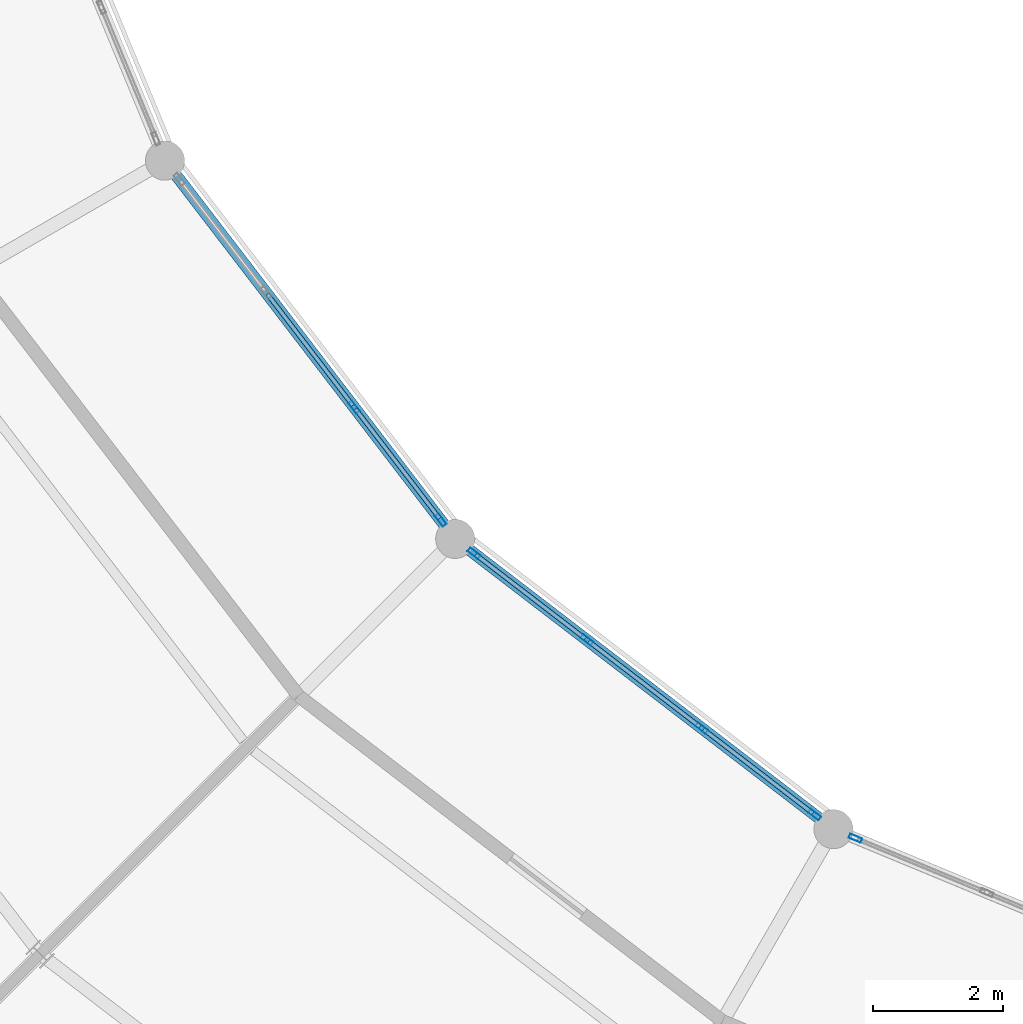
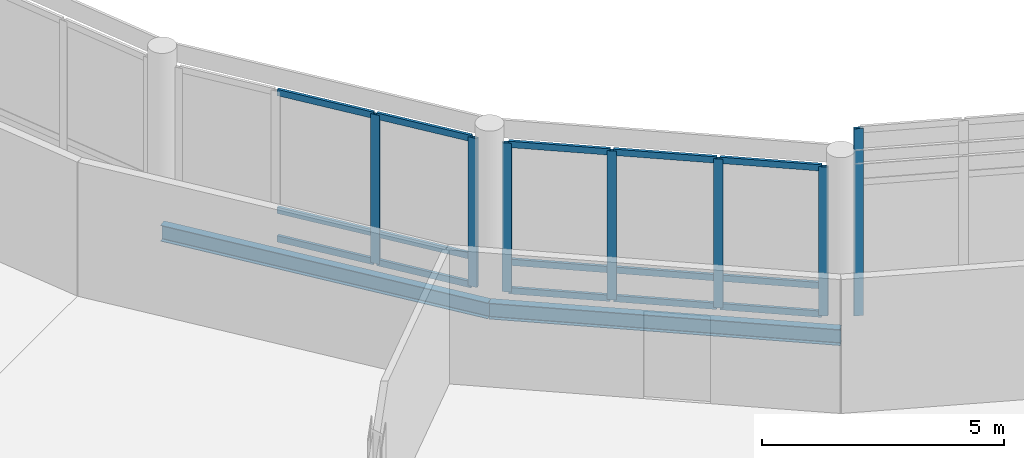
# One storey, part 40 of 170: 22 members, 2 beams, 3 elements without a shape of their own.
"""IFC4 building model written with IfcOpenShell, lengths in metres."""

from ifc_helpers import new_model, si_unit, direction, frame, origin, origin_2d, place, context, subcontext, project, spatial, hollow_rectangle, i_section, extrude, material, material_profile, profile_set, type_object, element, aggregate, save


model = new_model("IFC4")

# Units and contexts
model_context = context("Model", 3, precision=1e-05, world=origin(), true_north=direction((0.0, 1.0)))
body_context = subcontext(model_context, "Body", "Model", "MODEL_VIEW")
ifc_project = project(units=[si_unit("LENGTHUNIT", "METRE"), si_unit("AREAUNIT", "SQUARE_METRE"), si_unit("VOLUMEUNIT", "CUBIC_METRE"), si_unit("PLANEANGLEUNIT", "RADIAN"), si_unit("MASSUNIT", "GRAM", prefix="KILO")], contexts=[model_context])

# Site, building, storey
site_placement = place(None, origin())
site = spatial("IfcSite", under=ifc_project, at=site_placement, CompositionType="ELEMENT")
building_placement = place(site_placement, origin())
building = spatial("IfcBuilding", under=site, at=building_placement, Name="Vondelvale Polytechnic", CompositionType="ELEMENT")
storey_placement = place(building_placement, frame((0.0, 0.0, 5.39990234375)))
storey = spatial("IfcBuildingStorey", under=building, at=storey_placement, Name="L01", CompositionType="ELEMENT", Elevation=5.39990234375)

# Beams
ifc_material_1 = material(Name="Steel 300PLUS (fy = 300 MPa)", Category="steel")
ifc_material_profile_1 = material_profile(ifc_material_1, i_section(OverallWidth=0.177978515625, OverallDepth=0.406005859375, WebThickness=0.0078125, FlangeThickness=0.0126953125, FilletRadius=0.011474609375, at=origin_2d()), Name="410UB59.7")
ifc_profile_set_1 = profile_set([ifc_material_profile_1], Name="Steel 300PLUS (fy = 300 MPa)")
beam_type = type_object("IfcBeamType", Name="BM-UB410", PredefinedType="BEAM", material=ifc_profile_set_1)
for number, where, z_axis, x_axis, name in (
    (1, (77.751220703125, 58.0, -0.48291015625), (0.608754744979, -0.793358469083, 0.0), (0.793358469083, 0.608754744979, 0.0), "L01 RB B-14"),
    (2, (82.200927734375, 52.200927734375, -0.48291015625), (0.793358469083, -0.608754744979, 0.0), (0.608754744979, 0.793358469083, 0.0), "L01 RB B-14"),
):
    element("IfcBeam", number, at=place(storey_placement, frame(where, z_axis=z_axis, x_axis=x_axis)), inside=storey, type_object=beam_type, Name=name, PredefinedType="BEAM", context=body_context, shape_type="SweptSolid", body=[
        extrude(i_section(OverallWidth=0.177978515625, OverallDepth=0.406005859375, WebThickness=0.0078125, FlangeThickness=0.0126953125, FilletRadius=0.011474609375, at=origin_2d()), origin(), (0.0, 0.0, 1.0), 7.3095703125),
    ])

# Curtain wall, members
ifc_material_2 = material(Name="Anodised extruded aluminium 6063-T6", Category="aluminium")
curtain_wall_type = type_object("IfcCurtainWallType", Name="CW-RING-CLOISTER", PredefinedType="NOTDEFINED", material=ifc_material_2)
curtain_wall_1_placement = place(storey_placement, origin())
curtain_wall_1 = element("IfcCurtainWall", 3, at=curtain_wall_1_placement, inside=storey, type_object=curtain_wall_type, Name="L01 architectural curtain wall CW-03-298", PredefinedType="NOTDEFINED")
ifc_material_profile_2 = material_profile(ifc_material_2, hollow_rectangle(XDim=0.070068359375, YDim=0.199951171875, WallThickness=0.00390625, at=origin_2d()), Name="CW-MUL-200x70")
ifc_profile_set_2 = profile_set([ifc_material_profile_2], Name="Anodised extruded aluminium 6063-T6")
member_type_1 = type_object("IfcMemberType", Name="CW-MUL-70x200", PredefinedType="MULLION", material=ifc_profile_set_2)
member_1_placement = place(storey_placement, frame((80.651123046875, 54.220947265625, 0.0), z_axis=(0.0, 0.0, 1.0), x_axis=(0.793363861089, 0.608747717793, 0.0)))
member_1 = element("IfcMember", 4, at=member_1_placement, type_object=member_type_1, Name="CW-03-298 mullion 3", PredefinedType="MULLION", context=body_context, shape_type="SweptSolid", body=[
    extrude(hollow_rectangle(XDim=0.070068359375, YDim=0.199951171875, WallThickness=0.00390625, at=origin_2d()), origin(), (0.0, 0.0, 1.0), 3.75),
])
member_2_placement = place(storey_placement, frame((81.9794921875, 52.489501953125, 0.0), z_axis=(0.0, 0.0, 1.0), x_axis=(0.793363861089, 0.608747717793, 0.0)))
member_2 = element("IfcMember", 5, at=member_2_placement, type_object=member_type_1, Name="CW-03-298 mullion 4", PredefinedType="MULLION", context=body_context, shape_type="SweptSolid", body=[
    extrude(hollow_rectangle(XDim=0.070068359375, YDim=0.199951171875, WallThickness=0.00390625, at=origin_2d()), origin(), (0.0, 0.0, 1.0), 3.75),
])

curtain_wall_2_placement = place(storey_placement, origin())
curtain_wall_2 = element("IfcCurtainWall", 6, at=curtain_wall_2_placement, inside=storey, type_object=curtain_wall_type, Name="L01 architectural curtain wall CW-03-317", PredefinedType="NOTDEFINED")
member_3_placement = place(storey_placement, frame((82.489501953125, 51.9794921875, 0.0), z_axis=(0.0, 0.0, 1.0), x_axis=(0.608747717793, 0.793363861089, 0.0)))
member_3 = element("IfcMember", 7, at=member_3_placement, type_object=member_type_1, Name="CW-03-317 mullion 1", PredefinedType="MULLION", context=body_context, shape_type="SweptSolid", body=[
    extrude(hollow_rectangle(XDim=0.070068359375, YDim=0.199951171875, WallThickness=0.00390625, at=origin_2d()), origin(), (0.0, 0.0, 1.0), 3.75),
])
member_4_placement = place(storey_placement, frame((84.220947265625, 50.651123046875, 0.0), z_axis=(0.0, 0.0, 1.0), x_axis=(0.608747717793, 0.793363861089, 0.0)))
member_4 = element("IfcMember", 8, at=member_4_placement, type_object=member_type_1, Name="CW-03-317 mullion 2", PredefinedType="MULLION", context=body_context, shape_type="SweptSolid", body=[
    extrude(hollow_rectangle(XDim=0.070068359375, YDim=0.199951171875, WallThickness=0.00390625, at=origin_2d()), origin(), (0.0, 0.0, 1.0), 3.75),
])
member_5_placement = place(storey_placement, frame((85.97998046875, 49.30126953125, 0.0), z_axis=(0.0, 0.0, 1.0), x_axis=(0.608747717793, 0.793363861089, 0.0)))
member_5 = element("IfcMember", 9, at=member_5_placement, type_object=member_type_1, Name="CW-03-317 mullion 3", PredefinedType="MULLION", context=body_context, shape_type="SweptSolid", body=[
    extrude(hollow_rectangle(XDim=0.070068359375, YDim=0.199951171875, WallThickness=0.00390625, at=origin_2d()), origin(), (0.0, 0.0, 1.0), 3.75),
])
member_6_placement = place(storey_placement, frame((87.71142578125, 47.97265625, 0.0), z_axis=(0.0, 0.0, 1.0), x_axis=(0.608747717793, 0.793363861089, 0.0)))
member_6 = element("IfcMember", 10, at=member_6_placement, type_object=member_type_1, Name="CW-03-317 mullion 4", PredefinedType="MULLION", context=body_context, shape_type="SweptSolid", body=[
    extrude(hollow_rectangle(XDim=0.070068359375, YDim=0.199951171875, WallThickness=0.00390625, at=origin_2d()), origin(), (0.0, 0.0, 1.0), 3.75),
])

# Curtain wall, member
curtain_wall_3_placement = place(storey_placement, origin())
curtain_wall_3 = element("IfcCurtainWall", 11, at=curtain_wall_3_placement, inside=storey, type_object=curtain_wall_type, Name="L01 architectural curtain wall CW-03-329", PredefinedType="NOTDEFINED")
member_7_placement = place(storey_placement, frame((88.337158203125, 47.611572265625, 0.0), z_axis=(0.0, 0.0, 1.0), x_axis=(0.382678531697, 0.923881562419, 0.0)))
member_7 = element("IfcMember", 12, at=member_7_placement, type_object=member_type_1, Name="CW-03-329 mullion 1", PredefinedType="MULLION", context=body_context, shape_type="SweptSolid", body=[
    extrude(hollow_rectangle(XDim=0.070068359375, YDim=0.199951171875, WallThickness=0.00390625, at=origin_2d()), origin(), (0.0, 0.0, 1.0), 4.71337890625),
])
aggregate(curtain_wall_3, [member_7])

# Member
ifc_material_profile_3 = material_profile(ifc_material_2, hollow_rectangle(XDim=0.06494140625, YDim=0.159912109375, WallThickness=0.00341796875, at=origin_2d()), Name="CW-TRN-160x65")
ifc_profile_set_3 = profile_set([ifc_material_profile_3], Name="Anodised extruded aluminium 6063-T6")
member_type_2 = type_object("IfcMemberType", Name="CW-TRN-70x160", PredefinedType="USERDEFINED", material=ifc_profile_set_3)
member_8_placement = place(storey_placement, frame((79.322509765625, 55.952392578125, 0.03271484375), z_axis=(0.608732251269, -0.793375728306, 0.0), x_axis=(0.793375728306, 0.608732251269, 0.0)))
member_8 = element("IfcMember", 13, at=member_8_placement, type_object=member_type_2, Name="CW-03-298 transom 2.1", ObjectType="TRANSOM", PredefinedType="USERDEFINED", context=body_context, shape_type="SweptSolid", body=[
    extrude(hollow_rectangle(XDim=0.06494140625, YDim=0.159912109375, WallThickness=0.00341796875, at=origin_2d()), origin(), (0.0, 0.0, 1.0), 2.147216796875),
])

member_9_placement = place(storey_placement, frame((79.322509765625, 55.952392578125, 0.75), z_axis=(0.608732251269, -0.793375728306, 0.0), x_axis=(0.793375728306, 0.608732251269, 0.0)))
member_9 = element("IfcMember", 14, at=member_9_placement, type_object=member_type_2, Name="CW-03-298 transom 2.2", ObjectType="TRANSOM", PredefinedType="USERDEFINED", context=body_context, shape_type="SweptSolid", body=[
    extrude(hollow_rectangle(XDim=0.06494140625, YDim=0.159912109375, WallThickness=0.00341796875, at=origin_2d()), origin(), (0.0, 0.0, 1.0), 2.147216796875),
])

member_10_placement = place(storey_placement, frame((79.322509765625, 55.952392578125, 3.717529296875), z_axis=(0.608732251269, -0.793375728306, 0.0), x_axis=(0.793375728306, 0.608732251269, 0.0)))
member_10 = element("IfcMember", 15, at=member_10_placement, type_object=member_type_2, Name="CW-03-298 transom 2.3", ObjectType="TRANSOM", PredefinedType="USERDEFINED", context=body_context, shape_type="SweptSolid", body=[
    extrude(hollow_rectangle(XDim=0.06494140625, YDim=0.159912109375, WallThickness=0.00341796875, at=origin_2d()), origin(), (0.0, 0.0, 1.0), 2.147216796875),
])

member_11_placement = place(storey_placement, frame((80.67236328125, 54.193115234375, 0.03271484375), z_axis=(0.608766343448, -0.793349569285, 0.0), x_axis=(0.793349569285, 0.608766343448, 0.0)))
member_11 = element("IfcMember", 16, at=member_11_placement, type_object=member_type_2, Name="CW-03-298 transom 3.1", ObjectType="TRANSOM", PredefinedType="USERDEFINED", context=body_context, shape_type="SweptSolid", body=[
    extrude(hollow_rectangle(XDim=0.06494140625, YDim=0.159912109375, WallThickness=0.00341796875, at=origin_2d()), origin(), (0.0, 0.0, 1.0), 2.1123046875),
])

member_12_placement = place(storey_placement, frame((80.67236328125, 54.193115234375, 0.75), z_axis=(0.608766343448, -0.793349569285, 0.0), x_axis=(0.793349569285, 0.608766343448, 0.0)))
member_12 = element("IfcMember", 17, at=member_12_placement, type_object=member_type_2, Name="CW-03-298 transom 3.2", ObjectType="TRANSOM", PredefinedType="USERDEFINED", context=body_context, shape_type="SweptSolid", body=[
    extrude(hollow_rectangle(XDim=0.06494140625, YDim=0.159912109375, WallThickness=0.00341796875, at=origin_2d()), origin(), (0.0, 0.0, 1.0), 2.1123046875),
])

member_13_placement = place(storey_placement, frame((80.67236328125, 54.193115234375, 3.717529296875), z_axis=(0.608766343448, -0.793349569285, 0.0), x_axis=(0.793349569285, 0.608766343448, 0.0)))
member_13 = element("IfcMember", 18, at=member_13_placement, type_object=member_type_2, Name="CW-03-298 transom 3.3", ObjectType="TRANSOM", PredefinedType="USERDEFINED", context=body_context, shape_type="SweptSolid", body=[
    extrude(hollow_rectangle(XDim=0.06494140625, YDim=0.159912109375, WallThickness=0.00341796875, at=origin_2d()), origin(), (0.0, 0.0, 1.0), 2.1123046875),
])

aggregate(curtain_wall_1, [member_1, member_2, member_8, member_9, member_10, member_11, member_12, member_13])

member_14_placement = place(storey_placement, frame((82.517333984375, 51.958251953125, 0.03271484375), z_axis=(0.793349569285, -0.608766343448, 0.0), x_axis=(0.608766343448, 0.793349569285, 0.0)))
member_14 = element("IfcMember", 19, at=member_14_placement, type_object=member_type_2, Name="CW-03-317 transom 1.1", ObjectType="TRANSOM", PredefinedType="USERDEFINED", context=body_context, shape_type="SweptSolid", body=[
    extrude(hollow_rectangle(XDim=0.06494140625, YDim=0.159912109375, WallThickness=0.00341796875, at=origin_2d()), origin(), (0.0, 0.0, 1.0), 2.1123046875),
])

member_15_placement = place(storey_placement, frame((82.517333984375, 51.958251953125, 0.75), z_axis=(0.793349569285, -0.608766343448, 0.0), x_axis=(0.608766343448, 0.793349569285, 0.0)))
member_15 = element("IfcMember", 20, at=member_15_placement, type_object=member_type_2, Name="CW-03-317 transom 1.2", ObjectType="TRANSOM", PredefinedType="USERDEFINED", context=body_context, shape_type="SweptSolid", body=[
    extrude(hollow_rectangle(XDim=0.06494140625, YDim=0.159912109375, WallThickness=0.00341796875, at=origin_2d()), origin(), (0.0, 0.0, 1.0), 2.1123046875),
])

member_16_placement = place(storey_placement, frame((82.517333984375, 51.958251953125, 3.717529296875), z_axis=(0.793349569285, -0.608766343448, 0.0), x_axis=(0.608766343448, 0.793349569285, 0.0)))
member_16 = element("IfcMember", 21, at=member_16_placement, type_object=member_type_2, Name="CW-03-317 transom 1.3", ObjectType="TRANSOM", PredefinedType="USERDEFINED", context=body_context, shape_type="SweptSolid", body=[
    extrude(hollow_rectangle(XDim=0.06494140625, YDim=0.159912109375, WallThickness=0.00341796875, at=origin_2d()), origin(), (0.0, 0.0, 1.0), 2.1123046875),
])

member_17_placement = place(storey_placement, frame((84.248779296875, 50.629638671875, 0.03271484375), z_axis=(0.793375728306, -0.608732251269, 0.0), x_axis=(0.608732251269, 0.793375728306, 0.0)))
member_17 = element("IfcMember", 22, at=member_17_placement, type_object=member_type_2, Name="CW-03-317 transom 2.1", ObjectType="TRANSOM", PredefinedType="USERDEFINED", context=body_context, shape_type="SweptSolid", body=[
    extrude(hollow_rectangle(XDim=0.06494140625, YDim=0.159912109375, WallThickness=0.00341796875, at=origin_2d()), origin(), (0.0, 0.0, 1.0), 2.147216796875),
])

member_18_placement = place(storey_placement, frame((84.248779296875, 50.629638671875, 0.75), z_axis=(0.793375728306, -0.608732251269, 0.0), x_axis=(0.608732251269, 0.793375728306, 0.0)))
member_18 = element("IfcMember", 23, at=member_18_placement, type_object=member_type_2, Name="CW-03-317 transom 2.2", ObjectType="TRANSOM", PredefinedType="USERDEFINED", context=body_context, shape_type="SweptSolid", body=[
    extrude(hollow_rectangle(XDim=0.06494140625, YDim=0.159912109375, WallThickness=0.00341796875, at=origin_2d()), origin(), (0.0, 0.0, 1.0), 2.147216796875),
])

member_19_placement = place(storey_placement, frame((84.248779296875, 50.629638671875, 3.717529296875), z_axis=(0.793375728306, -0.608732251269, 0.0), x_axis=(0.608732251269, 0.793375728306, 0.0)))
member_19 = element("IfcMember", 24, at=member_19_placement, type_object=member_type_2, Name="CW-03-317 transom 2.3", ObjectType="TRANSOM", PredefinedType="USERDEFINED", context=body_context, shape_type="SweptSolid", body=[
    extrude(hollow_rectangle(XDim=0.06494140625, YDim=0.159912109375, WallThickness=0.00341796875, at=origin_2d()), origin(), (0.0, 0.0, 1.0), 2.147216796875),
])

member_20_placement = place(storey_placement, frame((86.0078125, 49.280029296875, 0.03271484375), z_axis=(0.793336583571, -0.608783266169, 0.0), x_axis=(0.608783266169, 0.793336583571, 0.0)))
member_20 = element("IfcMember", 25, at=member_20_placement, type_object=member_type_2, Name="CW-03-317 transom 3.1", ObjectType="TRANSOM", PredefinedType="USERDEFINED", context=body_context, shape_type="SweptSolid", body=[
    extrude(hollow_rectangle(XDim=0.06494140625, YDim=0.159912109375, WallThickness=0.00341796875, at=origin_2d()), origin(), (0.0, 0.0, 1.0), 2.112548828125),
])

member_21_placement = place(storey_placement, frame((86.0078125, 49.280029296875, 0.75), z_axis=(0.793336583571, -0.608783266169, 0.0), x_axis=(0.608783266169, 0.793336583571, 0.0)))
member_21 = element("IfcMember", 26, at=member_21_placement, type_object=member_type_2, Name="CW-03-317 transom 3.2", ObjectType="TRANSOM", PredefinedType="USERDEFINED", context=body_context, shape_type="SweptSolid", body=[
    extrude(hollow_rectangle(XDim=0.06494140625, YDim=0.159912109375, WallThickness=0.00341796875, at=origin_2d()), origin(), (0.0, 0.0, 1.0), 2.112548828125),
])

member_22_placement = place(storey_placement, frame((86.0078125, 49.280029296875, 3.717529296875), z_axis=(0.793336583571, -0.608783266169, 0.0), x_axis=(0.608783266169, 0.793336583571, 0.0)))
member_22 = element("IfcMember", 27, at=member_22_placement, type_object=member_type_2, Name="CW-03-317 transom 3.3", ObjectType="TRANSOM", PredefinedType="USERDEFINED", context=body_context, shape_type="SweptSolid", body=[
    extrude(hollow_rectangle(XDim=0.06494140625, YDim=0.159912109375, WallThickness=0.00341796875, at=origin_2d()), origin(), (0.0, 0.0, 1.0), 2.112548828125),
])

aggregate(curtain_wall_2, [member_3, member_4, member_5, member_6, member_14, member_15, member_16, member_17, member_18, member_19, member_20, member_21, member_22])

save(model, "model.ifc")
